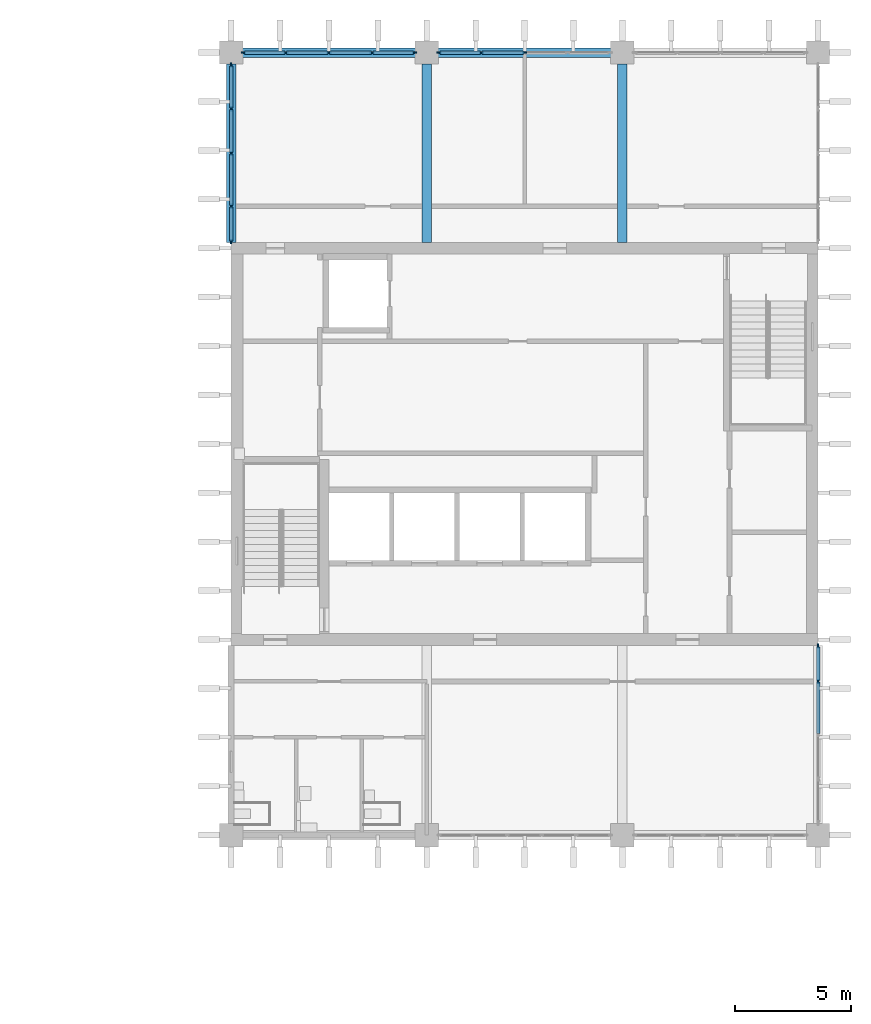
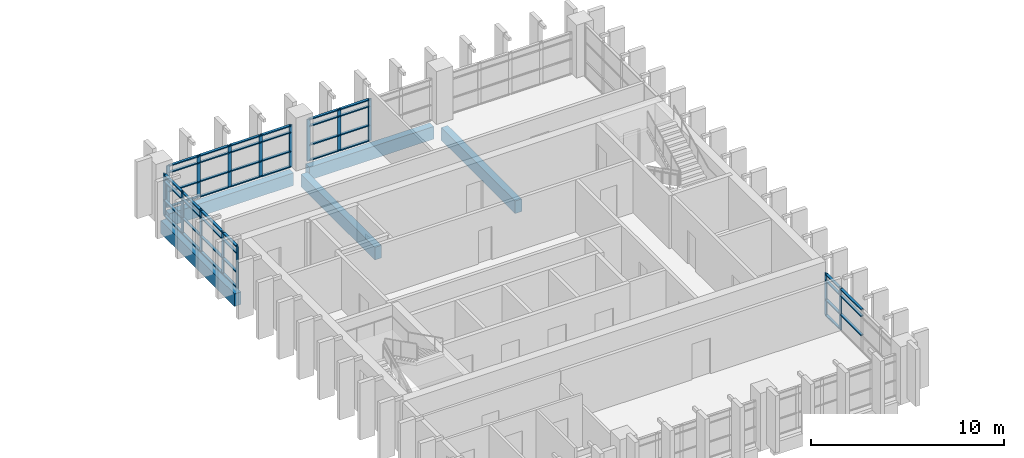
# One storey, part 5 of 24: 62 members, 5 beams, 4 elements without a shape of their own.
"""IFC4 building model written with IfcOpenShell, lengths in metres."""

from ifc_helpers import new_model, si_unit, direction, frame, origin, origin_2d, place, context, subcontext, project, spatial, rectangle, extrude, material, layer, layer_set, material_profile, profile_set, type_object, element, aggregate, save


model = new_model("IFC4")

# Units and contexts
model_context = context("Model", 3, precision=1e-05, world=origin(), true_north=direction((0.0, 1.0)))
body_context = subcontext(model_context, "Body", "Model", "MODEL_VIEW")
ifc_project = project(units=[si_unit("LENGTHUNIT", "METRE"), si_unit("AREAUNIT", "SQUARE_METRE"), si_unit("VOLUMEUNIT", "CUBIC_METRE"), si_unit("PLANEANGLEUNIT", "RADIAN"), si_unit("MASSUNIT", "GRAM", prefix="KILO")], contexts=[model_context])

# Site, building, storey
site_placement = place(None, origin())
site = spatial("IfcSite", under=ifc_project, at=site_placement, CompositionType="ELEMENT")
building_placement = place(site_placement, origin())
building = spatial("IfcBuilding", under=site, at=building_placement, Name="Rulbaag Community and Learning Centre", CompositionType="ELEMENT")
storey_placement = place(building_placement, frame((0.0, 0.0, 14.39990234375)))
storey = spatial("IfcBuildingStorey", under=building, at=storey_placement, Name="L03", CompositionType="ELEMENT", Elevation=14.39990234375)

# Beams
ifc_material_1 = material(Name="Concrete M40", Category="concrete")
ifc_material_profile_1 = material_profile(ifc_material_1, rectangle(XDim=0.39990234375, YDim=0.800048828125, at=origin_2d()), Name="RB400x800")
ifc_profile_set_1 = profile_set([ifc_material_profile_1], Name="Concrete M40")
beam_type = type_object("IfcBeamType", Name="B9 Terrace beam 400x800 Concrete M40", PredefinedType="BEAM", material=ifc_profile_set_1)
beam_1_placement = place(storey_placement, frame((142.800048828125, 109.449951171875, -0.699951171875), z_axis=(0.0, 1.0, 0.0), x_axis=(-1.0, 0.0, 0.0)))
element("IfcBeam", 1, at=beam_1_placement, inside=storey, type_object=beam_type, Name="BM-L03-18N-18O", PredefinedType="BEAM", context=body_context, shape_type="SweptSolid", body=[
    extrude(rectangle(XDim=0.39990234375, YDim=0.800048828125, at=origin_2d()), origin(), (0.0, 0.0, 1.0), 7.670166015625),
])
beam_2_placement = place(storey_placement, frame((143.280029296875, 117.60009765625, -0.699951171875), z_axis=(1.0, 0.0, 0.0), x_axis=(0.0, 1.0, 0.0)))
element("IfcBeam", 2, at=beam_2_placement, inside=storey, type_object=beam_type, Name="BM-L03-18O-19O", PredefinedType="BEAM", context=body_context, shape_type="SweptSolid", body=[
    extrude(rectangle(XDim=0.39990234375, YDim=0.800048828125, at=origin_2d()), origin(), (0.0, 0.0, 1.0), 7.43994140625),
])
beam_3_placement = place(storey_placement, frame((151.199951171875, 109.449951171875, -0.699951171875), z_axis=(0.0, 1.0, 0.0), x_axis=(-1.0, 0.0, 0.0)))
element("IfcBeam", 3, at=beam_3_placement, inside=storey, type_object=beam_type, Name="BM-L03-19N-19O", PredefinedType="BEAM", context=body_context, shape_type="SweptSolid", body=[
    extrude(rectangle(XDim=0.39990234375, YDim=0.800048828125, at=origin_2d()), origin(), (0.0, 0.0, 1.0), 7.670166015625),
])
beam_4_placement = place(storey_placement, frame((151.679931640625, 117.60009765625, -0.699951171875), z_axis=(1.0, 0.0, 0.0), x_axis=(0.0, 1.0, 0.0)))
element("IfcBeam", 4, at=beam_4_placement, inside=storey, type_object=beam_type, Name="BM-L03-19O-20O", PredefinedType="BEAM", context=body_context, shape_type="SweptSolid", body=[
    extrude(rectangle(XDim=0.39990234375, YDim=0.800048828125, at=origin_2d()), origin(), (0.0, 0.0, 1.0), 7.440185546875),
])
beam_5_placement = place(storey_placement, frame((159.60009765625, 109.449951171875, -0.699951171875), z_axis=(0.0, 1.0, 0.0), x_axis=(-1.0, 0.0, 0.0)))
element("IfcBeam", 5, at=beam_5_placement, inside=storey, type_object=beam_type, Name="BM-L03-20N-20O", PredefinedType="BEAM", context=body_context, shape_type="SweptSolid", body=[
    extrude(rectangle(XDim=0.39990234375, YDim=0.800048828125, at=origin_2d()), origin(), (0.0, 0.0, 1.0), 7.670166015625),
])

# Curtain wall, members
ifc_material_2 = material(Name="Aluminium", Category="aluminium")
ifc_layer = layer(ifc_material_2, 0.14990234375)
ifc_layer_set = layer_set([ifc_layer], Name="CW-T")
curtain_wall_type = type_object("IfcCurtainWallType", Name="CW-T", PredefinedType="USERDEFINED", material=ifc_layer_set)
curtain_wall_1_placement = place(storey_placement, origin())
curtain_wall_1 = element("IfcCurtainWall", 6, at=curtain_wall_1_placement, inside=storey, type_object=curtain_wall_type, Name="GT-L03-01", ObjectType="UNITISED CURTAIN WALL", PredefinedType="USERDEFINED")
ifc_material_3 = material(Name="Aluminium mullion", Category="aluminium")
ifc_material_profile_2 = material_profile(ifc_material_3, rectangle(XDim=0.06494140625, YDim=0.199951171875, at=origin_2d()), Name="AL 65x200")
ifc_profile_set_2 = profile_set([ifc_material_profile_2], Name="Aluminium mullion")
member_type_1 = type_object("IfcMemberType", Name="CW-T-MUL", PredefinedType="MULLION", material=ifc_profile_set_2)
member_1_placement = place(storey_placement, frame((143.33251953125, 117.60009765625, 0.0), z_axis=(0.0, 0.0, 1.0), x_axis=(0.0, 1.0, 0.0)))
member_1 = element("IfcMember", 7, at=member_1_placement, type_object=member_type_1, Name="GT mullion 1", PredefinedType="MULLION", context=body_context, shape_type="SweptSolid", body=[
    extrude(rectangle(XDim=0.06494140625, YDim=0.199951171875, at=origin_2d()), origin(), (0.0, 0.0, 1.0), 2.650146484375),
])
member_2_placement = place(storey_placement, frame((145.14990234375, 117.60009765625, 0.0), z_axis=(0.0, 0.0, 1.0), x_axis=(0.0, 1.0, 0.0)))
member_2 = element("IfcMember", 8, at=member_2_placement, type_object=member_type_1, Name="GT mullion 2", PredefinedType="MULLION", context=body_context, shape_type="SweptSolid", body=[
    extrude(rectangle(XDim=0.06494140625, YDim=0.199951171875, at=origin_2d()), origin(), (0.0, 0.0, 1.0), 2.650146484375),
])
member_3_placement = place(storey_placement, frame((147.0, 117.60009765625, 0.0), z_axis=(0.0, 0.0, 1.0), x_axis=(0.0, 1.0, 0.0)))
member_3 = element("IfcMember", 9, at=member_3_placement, type_object=member_type_1, Name="GT mullion 3", PredefinedType="MULLION", context=body_context, shape_type="SweptSolid", body=[
    extrude(rectangle(XDim=0.06494140625, YDim=0.199951171875, at=origin_2d()), origin(), (0.0, 0.0, 1.0), 2.650146484375),
])
member_4_placement = place(storey_placement, frame((148.85009765625, 117.60009765625, 0.0), z_axis=(0.0, 0.0, 1.0), x_axis=(0.0, 1.0, 0.0)))
member_4 = element("IfcMember", 10, at=member_4_placement, type_object=member_type_1, Name="GT mullion 4", PredefinedType="MULLION", context=body_context, shape_type="SweptSolid", body=[
    extrude(rectangle(XDim=0.06494140625, YDim=0.199951171875, at=origin_2d()), origin(), (0.0, 0.0, 1.0), 2.650146484375),
])
member_5_placement = place(storey_placement, frame((150.66748046875, 117.60009765625, 0.0), z_axis=(0.0, 0.0, 1.0), x_axis=(0.0, 1.0, 0.0)))
member_5 = element("IfcMember", 11, at=member_5_placement, type_object=member_type_1, Name="GT mullion 5", PredefinedType="MULLION", context=body_context, shape_type="SweptSolid", body=[
    extrude(rectangle(XDim=0.06494140625, YDim=0.199951171875, at=origin_2d()), origin(), (0.0, 0.0, 1.0), 2.650146484375),
])

curtain_wall_2_placement = place(storey_placement, origin())
curtain_wall_2 = element("IfcCurtainWall", 12, at=curtain_wall_2_placement, inside=storey, type_object=curtain_wall_type, Name="GT-L03-02", ObjectType="UNITISED CURTAIN WALL", PredefinedType="USERDEFINED")
member_6_placement = place(storey_placement, frame((151.732421875, 117.60009765625, 0.0), z_axis=(0.0, 0.0, 1.0), x_axis=(0.0, 1.0, 0.0)))
member_6 = element("IfcMember", 13, at=member_6_placement, type_object=member_type_1, Name="GT mullion 1", PredefinedType="MULLION", context=body_context, shape_type="SweptSolid", body=[
    extrude(rectangle(XDim=0.06494140625, YDim=0.199951171875, at=origin_2d()), origin(), (0.0, 0.0, 1.0), 2.650146484375),
])
member_7_placement = place(storey_placement, frame((153.550048828125, 117.60009765625, 0.0), z_axis=(0.0, 0.0, 1.0), x_axis=(0.0, 1.0, 0.0)))
member_7 = element("IfcMember", 14, at=member_7_placement, type_object=member_type_1, Name="GT mullion 2", PredefinedType="MULLION", context=body_context, shape_type="SweptSolid", body=[
    extrude(rectangle(XDim=0.06494140625, YDim=0.199951171875, at=origin_2d()), origin(), (0.0, 0.0, 1.0), 2.650146484375),
])
member_8_placement = place(storey_placement, frame((155.39990234375, 117.60009765625, 0.0), z_axis=(0.0, 0.0, 1.0), x_axis=(0.0, 1.0, 0.0)))
member_8 = element("IfcMember", 15, at=member_8_placement, type_object=member_type_1, Name="GT mullion 3", PredefinedType="MULLION", context=body_context, shape_type="SweptSolid", body=[
    extrude(rectangle(XDim=0.06494140625, YDim=0.199951171875, at=origin_2d()), origin(), (0.0, 0.0, 1.0), 2.650146484375),
])

curtain_wall_3_placement = place(storey_placement, origin())
curtain_wall_3 = element("IfcCurtainWall", 16, at=curtain_wall_3_placement, inside=storey, type_object=curtain_wall_type, Name="GT-L03-04", ObjectType="UNITISED CURTAIN WALL", PredefinedType="USERDEFINED")
member_9_placement = place(storey_placement, frame((142.800048828125, 109.482421875, 0.0), z_axis=(0.0, 0.0, 1.0), x_axis=(-1.0, 0.0, 0.0)))
member_9 = element("IfcMember", 17, at=member_9_placement, type_object=member_type_1, Name="GT mullion 1", PredefinedType="MULLION", context=body_context, shape_type="SweptSolid", body=[
    extrude(rectangle(XDim=0.06494140625, YDim=0.199951171875, at=origin_2d()), origin(), (0.0, 0.0, 1.0), 2.650146484375),
])
member_10_placement = place(storey_placement, frame((142.800048828125, 111.0, 0.0), z_axis=(0.0, 0.0, 1.0), x_axis=(-1.0, 0.0, 0.0)))
member_10 = element("IfcMember", 18, at=member_10_placement, type_object=member_type_1, Name="GT mullion 2", PredefinedType="MULLION", context=body_context, shape_type="SweptSolid", body=[
    extrude(rectangle(XDim=0.06494140625, YDim=0.199951171875, at=origin_2d()), origin(), (0.0, 0.0, 1.0), 2.650146484375),
])
member_11_placement = place(storey_placement, frame((142.800048828125, 113.27490234375, 0.0), z_axis=(0.0, 0.0, 1.0), x_axis=(-1.0, 0.0, 0.0)))
member_11 = element("IfcMember", 19, at=member_11_placement, type_object=member_type_1, Name="GT mullion 3", PredefinedType="MULLION", context=body_context, shape_type="SweptSolid", body=[
    extrude(rectangle(XDim=0.06494140625, YDim=0.199951171875, at=origin_2d()), origin(), (0.0, 0.0, 1.0), 2.650146484375),
])
member_12_placement = place(storey_placement, frame((142.800048828125, 115.1875, 0.0), z_axis=(0.0, 0.0, 1.0), x_axis=(-1.0, 0.0, 0.0)))
member_12 = element("IfcMember", 20, at=member_12_placement, type_object=member_type_1, Name="GT mullion 4", PredefinedType="MULLION", context=body_context, shape_type="SweptSolid", body=[
    extrude(rectangle(XDim=0.06494140625, YDim=0.199951171875, at=origin_2d()), origin(), (0.0, 0.0, 1.0), 2.650146484375),
])
member_13_placement = place(storey_placement, frame((142.800048828125, 117.0673828125, 0.0), z_axis=(0.0, 0.0, 1.0), x_axis=(-1.0, 0.0, 0.0)))
member_13 = element("IfcMember", 21, at=member_13_placement, type_object=member_type_1, Name="GT mullion 5", PredefinedType="MULLION", context=body_context, shape_type="SweptSolid", body=[
    extrude(rectangle(XDim=0.06494140625, YDim=0.199951171875, at=origin_2d()), origin(), (0.0, 0.0, 1.0), 2.650146484375),
])

curtain_wall_4_placement = place(storey_placement, origin())
curtain_wall_4 = element("IfcCurtainWall", 22, at=curtain_wall_4_placement, inside=storey, type_object=curtain_wall_type, Name="GT-L03-05", ObjectType="UNITISED CURTAIN WALL", PredefinedType="USERDEFINED")
member_14_placement = place(storey_placement, frame((168.0, 90.60009765625, 0.0), z_axis=(0.0, 0.0, 1.0), x_axis=(-1.0, 0.0, 0.0)))
member_14 = element("IfcMember", 23, at=member_14_placement, type_object=member_type_1, Name="GT mullion 4", PredefinedType="MULLION", context=body_context, shape_type="SweptSolid", body=[
    extrude(rectangle(XDim=0.06494140625, YDim=0.199951171875, at=origin_2d()), origin(), (0.0, 0.0, 1.0), 2.650146484375),
])
member_15_placement = place(storey_placement, frame((168.0, 92.117431640625, 0.0), z_axis=(0.0, 0.0, 1.0), x_axis=(-1.0, 0.0, 0.0)))
member_15 = element("IfcMember", 24, at=member_15_placement, type_object=member_type_1, Name="GT mullion 5", PredefinedType="MULLION", context=body_context, shape_type="SweptSolid", body=[
    extrude(rectangle(XDim=0.06494140625, YDim=0.199951171875, at=origin_2d()), origin(), (0.0, 0.0, 1.0), 2.650146484375),
])

# Member
ifc_material_4 = material(Name="Aluminium transom", Category="aluminium")
ifc_material_profile_3 = material_profile(ifc_material_4, rectangle(XDim=0.14990234375, YDim=0.06494140625, at=origin_2d()), Name="AL 65x150 T")
ifc_profile_set_3 = profile_set([ifc_material_profile_3], Name="Aluminium transom")
member_type_2 = type_object("IfcMemberType", Name="CW-T-TRN", PredefinedType="USERDEFINED", material=ifc_profile_set_3)
member_16_placement = place(storey_placement, frame((143.364990234375, 117.60009765625, 0.03271484375), z_axis=(1.0, 0.0, 0.0), x_axis=(0.0, 1.0, 0.0)))
member_16 = element("IfcMember", 25, at=member_16_placement, type_object=member_type_2, Name="GT transom 1.1", ObjectType="TRANSOM", PredefinedType="USERDEFINED", context=body_context, shape_type="SweptSolid", body=[
    extrude(rectangle(XDim=0.14990234375, YDim=0.06494140625, at=origin_2d()), origin(), (0.0, 0.0, 1.0), 1.75244140625),
])

member_17_placement = place(storey_placement, frame((143.364990234375, 117.60009765625, 1.0), z_axis=(1.0, 0.0, 0.0), x_axis=(0.0, 1.0, 0.0)))
member_17 = element("IfcMember", 26, at=member_17_placement, type_object=member_type_2, Name="GT transom 1.2", ObjectType="TRANSOM", PredefinedType="USERDEFINED", context=body_context, shape_type="SweptSolid", body=[
    extrude(rectangle(XDim=0.14990234375, YDim=0.06494140625, at=origin_2d()), origin(), (0.0, 0.0, 1.0), 1.75244140625),
])

member_18_placement = place(storey_placement, frame((143.364990234375, 117.60009765625, 2.2001953125), z_axis=(1.0, 0.0, 0.0), x_axis=(0.0, 1.0, 0.0)))
member_18 = element("IfcMember", 27, at=member_18_placement, type_object=member_type_2, Name="GT transom 1.3", ObjectType="TRANSOM", PredefinedType="USERDEFINED", context=body_context, shape_type="SweptSolid", body=[
    extrude(rectangle(XDim=0.14990234375, YDim=0.06494140625, at=origin_2d()), origin(), (0.0, 0.0, 1.0), 1.75244140625),
])

member_19_placement = place(storey_placement, frame((143.364990234375, 117.60009765625, 2.61767578125), z_axis=(1.0, 0.0, 0.0), x_axis=(0.0, 1.0, 0.0)))
member_19 = element("IfcMember", 28, at=member_19_placement, type_object=member_type_2, Name="GT transom 1.4", ObjectType="TRANSOM", PredefinedType="USERDEFINED", context=body_context, shape_type="SweptSolid", body=[
    extrude(rectangle(XDim=0.14990234375, YDim=0.06494140625, at=origin_2d()), origin(), (0.0, 0.0, 1.0), 1.75244140625),
])

member_20_placement = place(storey_placement, frame((145.1826171875, 117.60009765625, 0.03271484375), z_axis=(1.0, 0.0, 0.0), x_axis=(0.0, 1.0, 0.0)))
member_20 = element("IfcMember", 29, at=member_20_placement, type_object=member_type_2, Name="GT transom 2.1", ObjectType="TRANSOM", PredefinedType="USERDEFINED", context=body_context, shape_type="SweptSolid", body=[
    extrude(rectangle(XDim=0.14990234375, YDim=0.06494140625, at=origin_2d()), origin(), (0.0, 0.0, 1.0), 1.784912109375),
])

member_21_placement = place(storey_placement, frame((145.1826171875, 117.60009765625, 1.0), z_axis=(1.0, 0.0, 0.0), x_axis=(0.0, 1.0, 0.0)))
member_21 = element("IfcMember", 30, at=member_21_placement, type_object=member_type_2, Name="GT transom 2.2", ObjectType="TRANSOM", PredefinedType="USERDEFINED", context=body_context, shape_type="SweptSolid", body=[
    extrude(rectangle(XDim=0.14990234375, YDim=0.06494140625, at=origin_2d()), origin(), (0.0, 0.0, 1.0), 1.784912109375),
])

member_22_placement = place(storey_placement, frame((145.1826171875, 117.60009765625, 2.2001953125), z_axis=(1.0, 0.0, 0.0), x_axis=(0.0, 1.0, 0.0)))
member_22 = element("IfcMember", 31, at=member_22_placement, type_object=member_type_2, Name="GT transom 2.3", ObjectType="TRANSOM", PredefinedType="USERDEFINED", context=body_context, shape_type="SweptSolid", body=[
    extrude(rectangle(XDim=0.14990234375, YDim=0.06494140625, at=origin_2d()), origin(), (0.0, 0.0, 1.0), 1.784912109375),
])

member_23_placement = place(storey_placement, frame((145.1826171875, 117.60009765625, 2.61767578125), z_axis=(1.0, 0.0, 0.0), x_axis=(0.0, 1.0, 0.0)))
member_23 = element("IfcMember", 32, at=member_23_placement, type_object=member_type_2, Name="GT transom 2.4", ObjectType="TRANSOM", PredefinedType="USERDEFINED", context=body_context, shape_type="SweptSolid", body=[
    extrude(rectangle(XDim=0.14990234375, YDim=0.06494140625, at=origin_2d()), origin(), (0.0, 0.0, 1.0), 1.784912109375),
])

member_24_placement = place(storey_placement, frame((147.032470703125, 117.60009765625, 0.03271484375), z_axis=(1.0, 0.0, 0.0), x_axis=(0.0, 1.0, 0.0)))
member_24 = element("IfcMember", 33, at=member_24_placement, type_object=member_type_2, Name="GT transom 3.1", ObjectType="TRANSOM", PredefinedType="USERDEFINED", context=body_context, shape_type="SweptSolid", body=[
    extrude(rectangle(XDim=0.14990234375, YDim=0.06494140625, at=origin_2d()), origin(), (0.0, 0.0, 1.0), 1.784912109375),
])

member_25_placement = place(storey_placement, frame((147.032470703125, 117.60009765625, 1.0), z_axis=(1.0, 0.0, 0.0), x_axis=(0.0, 1.0, 0.0)))
member_25 = element("IfcMember", 34, at=member_25_placement, type_object=member_type_2, Name="GT transom 3.2", ObjectType="TRANSOM", PredefinedType="USERDEFINED", context=body_context, shape_type="SweptSolid", body=[
    extrude(rectangle(XDim=0.14990234375, YDim=0.06494140625, at=origin_2d()), origin(), (0.0, 0.0, 1.0), 1.784912109375),
])

member_26_placement = place(storey_placement, frame((147.032470703125, 117.60009765625, 2.2001953125), z_axis=(1.0, 0.0, 0.0), x_axis=(0.0, 1.0, 0.0)))
member_26 = element("IfcMember", 35, at=member_26_placement, type_object=member_type_2, Name="GT transom 3.3", ObjectType="TRANSOM", PredefinedType="USERDEFINED", context=body_context, shape_type="SweptSolid", body=[
    extrude(rectangle(XDim=0.14990234375, YDim=0.06494140625, at=origin_2d()), origin(), (0.0, 0.0, 1.0), 1.784912109375),
])

member_27_placement = place(storey_placement, frame((147.032470703125, 117.60009765625, 2.61767578125), z_axis=(1.0, 0.0, 0.0), x_axis=(0.0, 1.0, 0.0)))
member_27 = element("IfcMember", 36, at=member_27_placement, type_object=member_type_2, Name="GT transom 3.4", ObjectType="TRANSOM", PredefinedType="USERDEFINED", context=body_context, shape_type="SweptSolid", body=[
    extrude(rectangle(XDim=0.14990234375, YDim=0.06494140625, at=origin_2d()), origin(), (0.0, 0.0, 1.0), 1.784912109375),
])

member_28_placement = place(storey_placement, frame((148.882568359375, 117.60009765625, 0.03271484375), z_axis=(1.0, 0.0, 0.0), x_axis=(0.0, 1.0, 0.0)))
member_28 = element("IfcMember", 37, at=member_28_placement, type_object=member_type_2, Name="GT transom 4.1", ObjectType="TRANSOM", PredefinedType="USERDEFINED", context=body_context, shape_type="SweptSolid", body=[
    extrude(rectangle(XDim=0.14990234375, YDim=0.06494140625, at=origin_2d()), origin(), (0.0, 0.0, 1.0), 1.75244140625),
])

member_29_placement = place(storey_placement, frame((148.882568359375, 117.60009765625, 1.0), z_axis=(1.0, 0.0, 0.0), x_axis=(0.0, 1.0, 0.0)))
member_29 = element("IfcMember", 38, at=member_29_placement, type_object=member_type_2, Name="GT transom 4.2", ObjectType="TRANSOM", PredefinedType="USERDEFINED", context=body_context, shape_type="SweptSolid", body=[
    extrude(rectangle(XDim=0.14990234375, YDim=0.06494140625, at=origin_2d()), origin(), (0.0, 0.0, 1.0), 1.75244140625),
])

member_30_placement = place(storey_placement, frame((148.882568359375, 117.60009765625, 2.2001953125), z_axis=(1.0, 0.0, 0.0), x_axis=(0.0, 1.0, 0.0)))
member_30 = element("IfcMember", 39, at=member_30_placement, type_object=member_type_2, Name="GT transom 4.3", ObjectType="TRANSOM", PredefinedType="USERDEFINED", context=body_context, shape_type="SweptSolid", body=[
    extrude(rectangle(XDim=0.14990234375, YDim=0.06494140625, at=origin_2d()), origin(), (0.0, 0.0, 1.0), 1.75244140625),
])

member_31_placement = place(storey_placement, frame((148.882568359375, 117.60009765625, 2.61767578125), z_axis=(1.0, 0.0, 0.0), x_axis=(0.0, 1.0, 0.0)))
member_31 = element("IfcMember", 40, at=member_31_placement, type_object=member_type_2, Name="GT transom 4.4", ObjectType="TRANSOM", PredefinedType="USERDEFINED", context=body_context, shape_type="SweptSolid", body=[
    extrude(rectangle(XDim=0.14990234375, YDim=0.06494140625, at=origin_2d()), origin(), (0.0, 0.0, 1.0), 1.75244140625),
])

aggregate(curtain_wall_1, [member_1, member_2, member_3, member_4, member_5, member_16, member_17, member_18, member_19, member_20, member_21, member_22, member_23, member_24, member_25, member_26, member_27, member_28, member_29, member_30, member_31])

member_32_placement = place(storey_placement, frame((151.764892578125, 117.60009765625, 0.03271484375), z_axis=(1.0, 0.0, 0.0), x_axis=(0.0, 1.0, 0.0)))
member_32 = element("IfcMember", 41, at=member_32_placement, type_object=member_type_2, Name="GT transom 1.1", ObjectType="TRANSOM", PredefinedType="USERDEFINED", context=body_context, shape_type="SweptSolid", body=[
    extrude(rectangle(XDim=0.14990234375, YDim=0.06494140625, at=origin_2d()), origin(), (0.0, 0.0, 1.0), 1.752685546875),
])

member_33_placement = place(storey_placement, frame((151.764892578125, 117.60009765625, 1.0), z_axis=(1.0, 0.0, 0.0), x_axis=(0.0, 1.0, 0.0)))
member_33 = element("IfcMember", 42, at=member_33_placement, type_object=member_type_2, Name="GT transom 1.2", ObjectType="TRANSOM", PredefinedType="USERDEFINED", context=body_context, shape_type="SweptSolid", body=[
    extrude(rectangle(XDim=0.14990234375, YDim=0.06494140625, at=origin_2d()), origin(), (0.0, 0.0, 1.0), 1.752685546875),
])

member_34_placement = place(storey_placement, frame((151.764892578125, 117.60009765625, 2.2001953125), z_axis=(1.0, 0.0, 0.0), x_axis=(0.0, 1.0, 0.0)))
member_34 = element("IfcMember", 43, at=member_34_placement, type_object=member_type_2, Name="GT transom 1.3", ObjectType="TRANSOM", PredefinedType="USERDEFINED", context=body_context, shape_type="SweptSolid", body=[
    extrude(rectangle(XDim=0.14990234375, YDim=0.06494140625, at=origin_2d()), origin(), (0.0, 0.0, 1.0), 1.752685546875),
])

member_35_placement = place(storey_placement, frame((151.764892578125, 117.60009765625, 2.61767578125), z_axis=(1.0, 0.0, 0.0), x_axis=(0.0, 1.0, 0.0)))
member_35 = element("IfcMember", 44, at=member_35_placement, type_object=member_type_2, Name="GT transom 1.4", ObjectType="TRANSOM", PredefinedType="USERDEFINED", context=body_context, shape_type="SweptSolid", body=[
    extrude(rectangle(XDim=0.14990234375, YDim=0.06494140625, at=origin_2d()), origin(), (0.0, 0.0, 1.0), 1.752685546875),
])

member_36_placement = place(storey_placement, frame((153.58251953125, 117.60009765625, 0.03271484375), z_axis=(1.0, 0.0, 0.0), x_axis=(0.0, 1.0, 0.0)))
member_36 = element("IfcMember", 45, at=member_36_placement, type_object=member_type_2, Name="GT transom 2.1", ObjectType="TRANSOM", PredefinedType="USERDEFINED", context=body_context, shape_type="SweptSolid", body=[
    extrude(rectangle(XDim=0.14990234375, YDim=0.06494140625, at=origin_2d()), origin(), (0.0, 0.0, 1.0), 1.784912109375),
])

member_37_placement = place(storey_placement, frame((153.58251953125, 117.60009765625, 1.0), z_axis=(1.0, 0.0, 0.0), x_axis=(0.0, 1.0, 0.0)))
member_37 = element("IfcMember", 46, at=member_37_placement, type_object=member_type_2, Name="GT transom 2.2", ObjectType="TRANSOM", PredefinedType="USERDEFINED", context=body_context, shape_type="SweptSolid", body=[
    extrude(rectangle(XDim=0.14990234375, YDim=0.06494140625, at=origin_2d()), origin(), (0.0, 0.0, 1.0), 1.784912109375),
])

member_38_placement = place(storey_placement, frame((153.58251953125, 117.60009765625, 2.2001953125), z_axis=(1.0, 0.0, 0.0), x_axis=(0.0, 1.0, 0.0)))
member_38 = element("IfcMember", 47, at=member_38_placement, type_object=member_type_2, Name="GT transom 2.3", ObjectType="TRANSOM", PredefinedType="USERDEFINED", context=body_context, shape_type="SweptSolid", body=[
    extrude(rectangle(XDim=0.14990234375, YDim=0.06494140625, at=origin_2d()), origin(), (0.0, 0.0, 1.0), 1.784912109375),
])

member_39_placement = place(storey_placement, frame((153.58251953125, 117.60009765625, 2.61767578125), z_axis=(1.0, 0.0, 0.0), x_axis=(0.0, 1.0, 0.0)))
member_39 = element("IfcMember", 48, at=member_39_placement, type_object=member_type_2, Name="GT transom 2.4", ObjectType="TRANSOM", PredefinedType="USERDEFINED", context=body_context, shape_type="SweptSolid", body=[
    extrude(rectangle(XDim=0.14990234375, YDim=0.06494140625, at=origin_2d()), origin(), (0.0, 0.0, 1.0), 1.784912109375),
])

aggregate(curtain_wall_2, [member_6, member_7, member_8, member_32, member_33, member_34, member_35, member_36, member_37, member_38, member_39])

member_40_placement = place(storey_placement, frame((142.800048828125, 109.514892578125, 0.03271484375), z_axis=(0.0, 1.0, 0.0), x_axis=(-1.0, 0.0, 0.0)))
member_40 = element("IfcMember", 49, at=member_40_placement, type_object=member_type_2, Name="GT transom 1.1", ObjectType="TRANSOM", PredefinedType="USERDEFINED", context=body_context, shape_type="SweptSolid", body=[
    extrude(rectangle(XDim=0.14990234375, YDim=0.06494140625, at=origin_2d()), origin(), (0.0, 0.0, 1.0), 1.45263671875),
])

member_41_placement = place(storey_placement, frame((142.800048828125, 109.514892578125, 1.0), z_axis=(0.0, 1.0, 0.0), x_axis=(-1.0, 0.0, 0.0)))
member_41 = element("IfcMember", 50, at=member_41_placement, type_object=member_type_2, Name="GT transom 1.2", ObjectType="TRANSOM", PredefinedType="USERDEFINED", context=body_context, shape_type="SweptSolid", body=[
    extrude(rectangle(XDim=0.14990234375, YDim=0.06494140625, at=origin_2d()), origin(), (0.0, 0.0, 1.0), 1.45263671875),
])

member_42_placement = place(storey_placement, frame((142.800048828125, 109.514892578125, 2.2001953125), z_axis=(0.0, 1.0, 0.0), x_axis=(-1.0, 0.0, 0.0)))
member_42 = element("IfcMember", 51, at=member_42_placement, type_object=member_type_2, Name="GT transom 1.3", ObjectType="TRANSOM", PredefinedType="USERDEFINED", context=body_context, shape_type="SweptSolid", body=[
    extrude(rectangle(XDim=0.14990234375, YDim=0.06494140625, at=origin_2d()), origin(), (0.0, 0.0, 1.0), 1.45263671875),
])

member_43_placement = place(storey_placement, frame((142.800048828125, 109.514892578125, 2.61767578125), z_axis=(0.0, 1.0, 0.0), x_axis=(-1.0, 0.0, 0.0)))
member_43 = element("IfcMember", 52, at=member_43_placement, type_object=member_type_2, Name="GT transom 1.4", ObjectType="TRANSOM", PredefinedType="USERDEFINED", context=body_context, shape_type="SweptSolid", body=[
    extrude(rectangle(XDim=0.14990234375, YDim=0.06494140625, at=origin_2d()), origin(), (0.0, 0.0, 1.0), 1.45263671875),
])

member_44_placement = place(storey_placement, frame((142.800048828125, 111.032470703125, 0.03271484375), z_axis=(0.0, 1.0, 0.0), x_axis=(-1.0, 0.0, 0.0)))
member_44 = element("IfcMember", 53, at=member_44_placement, type_object=member_type_2, Name="GT transom 2.1", ObjectType="TRANSOM", PredefinedType="USERDEFINED", context=body_context, shape_type="SweptSolid", body=[
    extrude(rectangle(XDim=0.14990234375, YDim=0.06494140625, at=origin_2d()), origin(), (0.0, 0.0, 1.0), 2.2099609375),
])

member_45_placement = place(storey_placement, frame((142.800048828125, 111.032470703125, 1.0), z_axis=(0.0, 1.0, 0.0), x_axis=(-1.0, 0.0, 0.0)))
member_45 = element("IfcMember", 54, at=member_45_placement, type_object=member_type_2, Name="GT transom 2.2", ObjectType="TRANSOM", PredefinedType="USERDEFINED", context=body_context, shape_type="SweptSolid", body=[
    extrude(rectangle(XDim=0.14990234375, YDim=0.06494140625, at=origin_2d()), origin(), (0.0, 0.0, 1.0), 2.2099609375),
])

member_46_placement = place(storey_placement, frame((142.800048828125, 111.032470703125, 2.2001953125), z_axis=(0.0, 1.0, 0.0), x_axis=(-1.0, 0.0, 0.0)))
member_46 = element("IfcMember", 55, at=member_46_placement, type_object=member_type_2, Name="GT transom 2.3", ObjectType="TRANSOM", PredefinedType="USERDEFINED", context=body_context, shape_type="SweptSolid", body=[
    extrude(rectangle(XDim=0.14990234375, YDim=0.06494140625, at=origin_2d()), origin(), (0.0, 0.0, 1.0), 2.2099609375),
])

member_47_placement = place(storey_placement, frame((142.800048828125, 111.032470703125, 2.61767578125), z_axis=(0.0, 1.0, 0.0), x_axis=(-1.0, 0.0, 0.0)))
member_47 = element("IfcMember", 56, at=member_47_placement, type_object=member_type_2, Name="GT transom 2.4", ObjectType="TRANSOM", PredefinedType="USERDEFINED", context=body_context, shape_type="SweptSolid", body=[
    extrude(rectangle(XDim=0.14990234375, YDim=0.06494140625, at=origin_2d()), origin(), (0.0, 0.0, 1.0), 2.2099609375),
])

member_48_placement = place(storey_placement, frame((142.800048828125, 113.3076171875, 0.03271484375), z_axis=(0.0, 1.0, 0.0), x_axis=(-1.0, 0.0, 0.0)))
member_48 = element("IfcMember", 57, at=member_48_placement, type_object=member_type_2, Name="GT transom 3.1", ObjectType="TRANSOM", PredefinedType="USERDEFINED", context=body_context, shape_type="SweptSolid", body=[
    extrude(rectangle(XDim=0.14990234375, YDim=0.06494140625, at=origin_2d()), origin(), (0.0, 0.0, 1.0), 1.847412109375),
])

member_49_placement = place(storey_placement, frame((142.800048828125, 113.3076171875, 1.0), z_axis=(0.0, 1.0, 0.0), x_axis=(-1.0, 0.0, 0.0)))
member_49 = element("IfcMember", 58, at=member_49_placement, type_object=member_type_2, Name="GT transom 3.2", ObjectType="TRANSOM", PredefinedType="USERDEFINED", context=body_context, shape_type="SweptSolid", body=[
    extrude(rectangle(XDim=0.14990234375, YDim=0.06494140625, at=origin_2d()), origin(), (0.0, 0.0, 1.0), 1.847412109375),
])

member_50_placement = place(storey_placement, frame((142.800048828125, 113.3076171875, 2.2001953125), z_axis=(0.0, 1.0, 0.0), x_axis=(-1.0, 0.0, 0.0)))
member_50 = element("IfcMember", 59, at=member_50_placement, type_object=member_type_2, Name="GT transom 3.3", ObjectType="TRANSOM", PredefinedType="USERDEFINED", context=body_context, shape_type="SweptSolid", body=[
    extrude(rectangle(XDim=0.14990234375, YDim=0.06494140625, at=origin_2d()), origin(), (0.0, 0.0, 1.0), 1.847412109375),
])

member_51_placement = place(storey_placement, frame((142.800048828125, 113.3076171875, 2.61767578125), z_axis=(0.0, 1.0, 0.0), x_axis=(-1.0, 0.0, 0.0)))
member_51 = element("IfcMember", 60, at=member_51_placement, type_object=member_type_2, Name="GT transom 3.4", ObjectType="TRANSOM", PredefinedType="USERDEFINED", context=body_context, shape_type="SweptSolid", body=[
    extrude(rectangle(XDim=0.14990234375, YDim=0.06494140625, at=origin_2d()), origin(), (0.0, 0.0, 1.0), 1.847412109375),
])

member_52_placement = place(storey_placement, frame((142.800048828125, 115.219970703125, 0.03271484375), z_axis=(0.0, 1.0, 0.0), x_axis=(-1.0, 0.0, 0.0)))
member_52 = element("IfcMember", 61, at=member_52_placement, type_object=member_type_2, Name="GT transom 4.1", ObjectType="TRANSOM", PredefinedType="USERDEFINED", context=body_context, shape_type="SweptSolid", body=[
    extrude(rectangle(XDim=0.14990234375, YDim=0.06494140625, at=origin_2d()), origin(), (0.0, 0.0, 1.0), 1.81494140625),
])

member_53_placement = place(storey_placement, frame((142.800048828125, 115.219970703125, 1.0), z_axis=(0.0, 1.0, 0.0), x_axis=(-1.0, 0.0, 0.0)))
member_53 = element("IfcMember", 62, at=member_53_placement, type_object=member_type_2, Name="GT transom 4.2", ObjectType="TRANSOM", PredefinedType="USERDEFINED", context=body_context, shape_type="SweptSolid", body=[
    extrude(rectangle(XDim=0.14990234375, YDim=0.06494140625, at=origin_2d()), origin(), (0.0, 0.0, 1.0), 1.81494140625),
])

member_54_placement = place(storey_placement, frame((142.800048828125, 115.219970703125, 2.2001953125), z_axis=(0.0, 1.0, 0.0), x_axis=(-1.0, 0.0, 0.0)))
member_54 = element("IfcMember", 63, at=member_54_placement, type_object=member_type_2, Name="GT transom 4.3", ObjectType="TRANSOM", PredefinedType="USERDEFINED", context=body_context, shape_type="SweptSolid", body=[
    extrude(rectangle(XDim=0.14990234375, YDim=0.06494140625, at=origin_2d()), origin(), (0.0, 0.0, 1.0), 1.81494140625),
])

member_55_placement = place(storey_placement, frame((142.800048828125, 115.219970703125, 2.61767578125), z_axis=(0.0, 1.0, 0.0), x_axis=(-1.0, 0.0, 0.0)))
member_55 = element("IfcMember", 64, at=member_55_placement, type_object=member_type_2, Name="GT transom 4.4", ObjectType="TRANSOM", PredefinedType="USERDEFINED", context=body_context, shape_type="SweptSolid", body=[
    extrude(rectangle(XDim=0.14990234375, YDim=0.06494140625, at=origin_2d()), origin(), (0.0, 0.0, 1.0), 1.81494140625),
])

aggregate(curtain_wall_3, [member_9, member_10, member_11, member_12, member_13, member_40, member_41, member_42, member_43, member_44, member_45, member_46, member_47, member_48, member_49, member_50, member_51, member_52, member_53, member_54, member_55])

member_56_placement = place(storey_placement, frame((168.0, 88.357421875, 1.0), z_axis=(0.0, 1.0, 0.0), x_axis=(-1.0, 0.0, 0.0)))
member_56 = element("IfcMember", 65, at=member_56_placement, type_object=member_type_2, Name="GT transom 3.2", ObjectType="TRANSOM", PredefinedType="USERDEFINED", context=body_context, shape_type="SweptSolid", body=[
    extrude(rectangle(XDim=0.14990234375, YDim=0.06494140625, at=origin_2d()), origin(), (0.0, 0.0, 1.0), 2.2099609375),
])

member_57_placement = place(storey_placement, frame((168.0, 88.357421875, 2.2001953125), z_axis=(0.0, 1.0, 0.0), x_axis=(-1.0, 0.0, 0.0)))
member_57 = element("IfcMember", 66, at=member_57_placement, type_object=member_type_2, Name="GT transom 3.3", ObjectType="TRANSOM", PredefinedType="USERDEFINED", context=body_context, shape_type="SweptSolid", body=[
    extrude(rectangle(XDim=0.14990234375, YDim=0.06494140625, at=origin_2d()), origin(), (0.0, 0.0, 1.0), 2.2099609375),
])

member_58_placement = place(storey_placement, frame((168.0, 88.357421875, 2.61767578125), z_axis=(0.0, 1.0, 0.0), x_axis=(-1.0, 0.0, 0.0)))
member_58 = element("IfcMember", 67, at=member_58_placement, type_object=member_type_2, Name="GT transom 3.4", ObjectType="TRANSOM", PredefinedType="USERDEFINED", context=body_context, shape_type="SweptSolid", body=[
    extrude(rectangle(XDim=0.14990234375, YDim=0.06494140625, at=origin_2d()), origin(), (0.0, 0.0, 1.0), 2.2099609375),
])

member_59_placement = place(storey_placement, frame((168.0, 90.632568359375, 0.03271484375), z_axis=(0.0, 1.0, 0.0), x_axis=(-1.0, 0.0, 0.0)))
member_59 = element("IfcMember", 68, at=member_59_placement, type_object=member_type_2, Name="GT transom 4.1", ObjectType="TRANSOM", PredefinedType="USERDEFINED", context=body_context, shape_type="SweptSolid", body=[
    extrude(rectangle(XDim=0.14990234375, YDim=0.06494140625, at=origin_2d()), origin(), (0.0, 0.0, 1.0), 1.452392578125),
])

member_60_placement = place(storey_placement, frame((168.0, 90.632568359375, 1.0), z_axis=(0.0, 1.0, 0.0), x_axis=(-1.0, 0.0, 0.0)))
member_60 = element("IfcMember", 69, at=member_60_placement, type_object=member_type_2, Name="GT transom 4.2", ObjectType="TRANSOM", PredefinedType="USERDEFINED", context=body_context, shape_type="SweptSolid", body=[
    extrude(rectangle(XDim=0.14990234375, YDim=0.06494140625, at=origin_2d()), origin(), (0.0, 0.0, 1.0), 1.452392578125),
])

member_61_placement = place(storey_placement, frame((168.0, 90.632568359375, 2.2001953125), z_axis=(0.0, 1.0, 0.0), x_axis=(-1.0, 0.0, 0.0)))
member_61 = element("IfcMember", 70, at=member_61_placement, type_object=member_type_2, Name="GT transom 4.3", ObjectType="TRANSOM", PredefinedType="USERDEFINED", context=body_context, shape_type="SweptSolid", body=[
    extrude(rectangle(XDim=0.14990234375, YDim=0.06494140625, at=origin_2d()), origin(), (0.0, 0.0, 1.0), 1.452392578125),
])

member_62_placement = place(storey_placement, frame((168.0, 90.632568359375, 2.61767578125), z_axis=(0.0, 1.0, 0.0), x_axis=(-1.0, 0.0, 0.0)))
member_62 = element("IfcMember", 71, at=member_62_placement, type_object=member_type_2, Name="GT transom 4.4", ObjectType="TRANSOM", PredefinedType="USERDEFINED", context=body_context, shape_type="SweptSolid", body=[
    extrude(rectangle(XDim=0.14990234375, YDim=0.06494140625, at=origin_2d()), origin(), (0.0, 0.0, 1.0), 1.452392578125),
])

aggregate(curtain_wall_4, [member_14, member_15, member_56, member_57, member_58, member_59, member_60, member_61, member_62])

save(model, "model.ifc")
